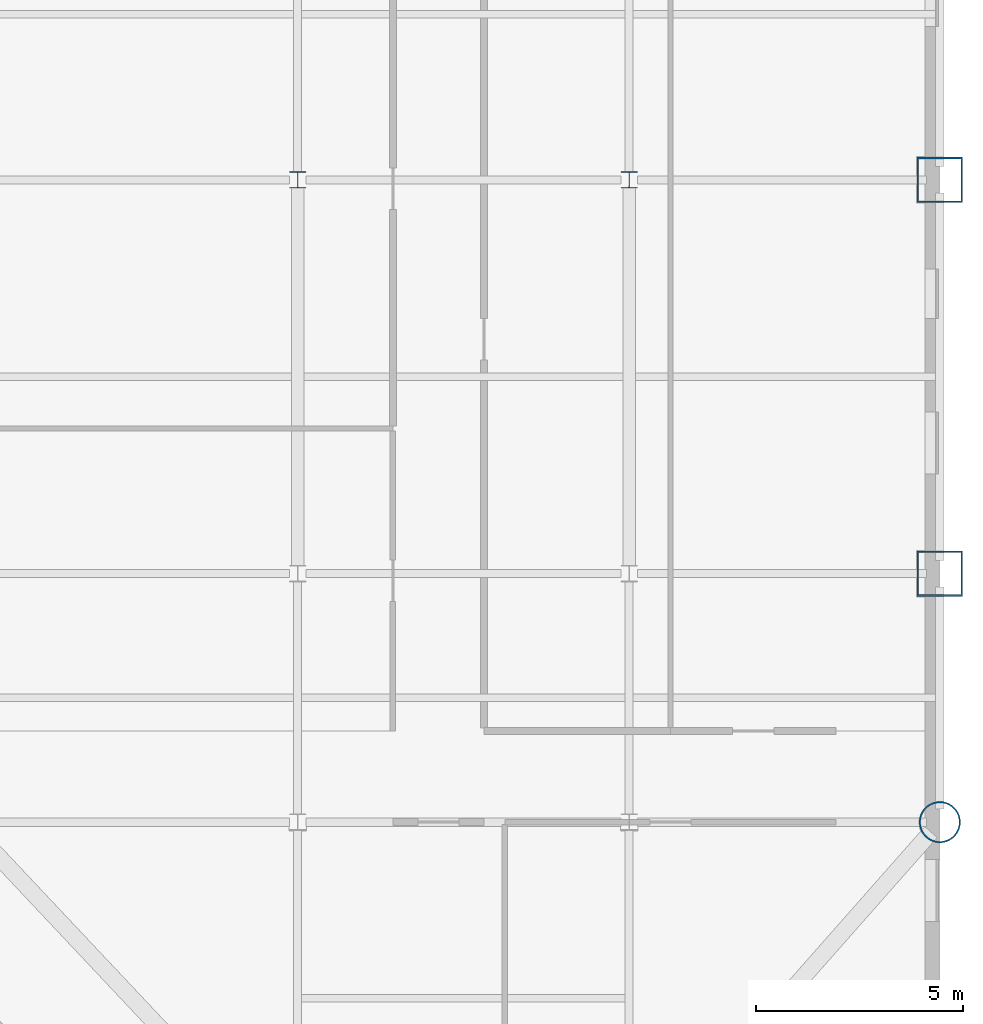
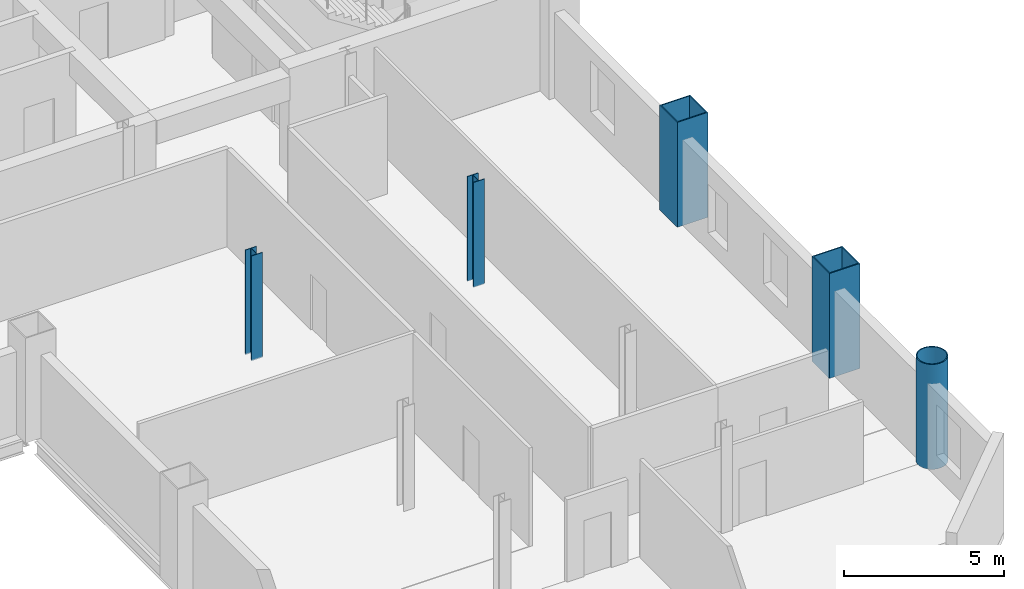
# One storey, part 2 of 9: 5 columns.
"""IFC4 building model written with IfcOpenShell, lengths in metres."""

from ifc_helpers import new_model, si_unit, direction, frame, origin, origin_2d, place, context, subcontext, project, spatial, hollow_rectangle, hollow_circle, i_section, extrude, material, material_profile, profile_set, type_object, element, save


model = new_model("IFC4")

# Units and contexts
model_context = context("Model", 3, precision=1e-05, world=origin(), true_north=direction((0.0, 1.0)))
body_context = subcontext(model_context, "Body", "Model", "MODEL_VIEW")
ifc_project = project(units=[si_unit("LENGTHUNIT", "METRE"), si_unit("AREAUNIT", "SQUARE_METRE"), si_unit("VOLUMEUNIT", "CUBIC_METRE"), si_unit("PLANEANGLEUNIT", "RADIAN"), si_unit("MASSUNIT", "GRAM", prefix="KILO")], contexts=[model_context])

# Site, building, storey
site_placement = place(None, origin())
site = spatial("IfcSite", under=ifc_project, at=site_placement, CompositionType="ELEMENT")
building_placement = place(site_placement, origin())
building = spatial("IfcBuilding", under=site, at=building_placement, Name="Qianrong Seaharbour Tower", CompositionType="ELEMENT")
storey_placement = place(building_placement, frame((0.0, 0.0, 163.0)))
storey = spatial("IfcBuildingStorey", under=building, at=storey_placement, Name="L39", CompositionType="ELEMENT", Elevation=163.0)

# Columns
ifc_material = material(Name="Structural steel SN490B", Category="steel")
ifc_material_profile_1 = material_profile(ifc_material, hollow_rectangle(XDim=1.10009765625, YDim=1.10009765625, WallThickness=0.0400390625, at=origin_2d()), Name="BOX1100x1100x40")
ifc_profile_set_1 = profile_set([ifc_material_profile_1], Name="Structural steel SN490B")
column_type_1 = type_object("IfcColumnType", Name="COL-CFT-1100", PredefinedType="COLUMN", material=ifc_profile_set_1)
for number, where, z_axis, x_axis, name in (
    (1, (64.0, 18.5, 0.0), (0.0, 0.0, 1.0), (1.0, 0.0, 0.0), "L39 Column MC-3 at G9/GD"),
    (2, (64.0, 28.0, 0.0), (0.0, 0.0, 1.0), (1.0, 0.0, 0.0), "L39 Column MC-3 at G9/GE"),
):
    element("IfcColumn", number, at=place(storey_placement, frame(where, z_axis=z_axis, x_axis=x_axis)), inside=storey, type_object=column_type_1, Name=name, PredefinedType="COLUMN", context=body_context, shape_type="SweptSolid", body=[
        extrude(hollow_rectangle(XDim=1.10009765625, YDim=1.10009765625, WallThickness=0.0400390625, at=origin_2d()), origin(), (0.0, 0.0, 1.0), 4.0),
    ])
ifc_material_profile_2 = material_profile(ifc_material, hollow_circle(Radius=0.5, WallThickness=0.035888671875, at=origin_2d()), Name="CHS1000x36")
ifc_profile_set_2 = profile_set([ifc_material_profile_2], Name="Structural steel SN490B")
column_type_2 = type_object("IfcColumnType", Name="COL-CHS-1000", PredefinedType="COLUMN", material=ifc_profile_set_2)
column_placement = place(storey_placement, frame((64.0, 12.5, 0.0), z_axis=(0.0, 0.0, 1.0), x_axis=(1.0, 0.0, 0.0)))
element("IfcColumn", 3, at=column_placement, inside=storey, type_object=column_type_2, Name="L39 Column CC-2 at G9/GC", PredefinedType="COLUMN", context=body_context, shape_type="SweptSolid", body=[
    extrude(hollow_circle(Radius=0.5, WallThickness=0.035888671875, at=origin_2d()), origin(), (0.0, 0.0, 1.0), 4.0),
])
ifc_material_profile_3 = material_profile(ifc_material, i_section(OverallWidth=0.39990234375, OverallDepth=0.39990234375, WebThickness=0.012939453125, FlangeThickness=0.02099609375, FilletRadius=0.02197265625, at=origin_2d()), Name="H400x400x13x21")
ifc_profile_set_3 = profile_set([ifc_material_profile_3], Name="Structural steel SN490B")
column_type_3 = type_object("IfcColumnType", Name="COL-INT-H400", PredefinedType="COLUMN", material=ifc_profile_set_3)
for number, where, z_axis, x_axis, name in (
    (4, (48.5, 28.0, 0.0), (0.0, 0.0, 1.0), (1.0, 0.0, 0.0), "L39 Column IC-3 at G7/GE"),
    (5, (56.5, 28.0, 0.0), (0.0, 0.0, 1.0), (1.0, 0.0, 0.0), "L39 Column IC-3 at G8/GE"),
):
    element("IfcColumn", number, at=place(storey_placement, frame(where, z_axis=z_axis, x_axis=x_axis)), inside=storey, type_object=column_type_3, Name=name, PredefinedType="COLUMN", context=body_context, shape_type="SweptSolid", body=[
        extrude(i_section(OverallWidth=0.39990234375, OverallDepth=0.39990234375, WebThickness=0.012939453125, FlangeThickness=0.02099609375, FilletRadius=0.02197265625, at=origin_2d()), origin(), (0.0, 0.0, 1.0), 4.0),
    ])

save(model, "model.ifc")
